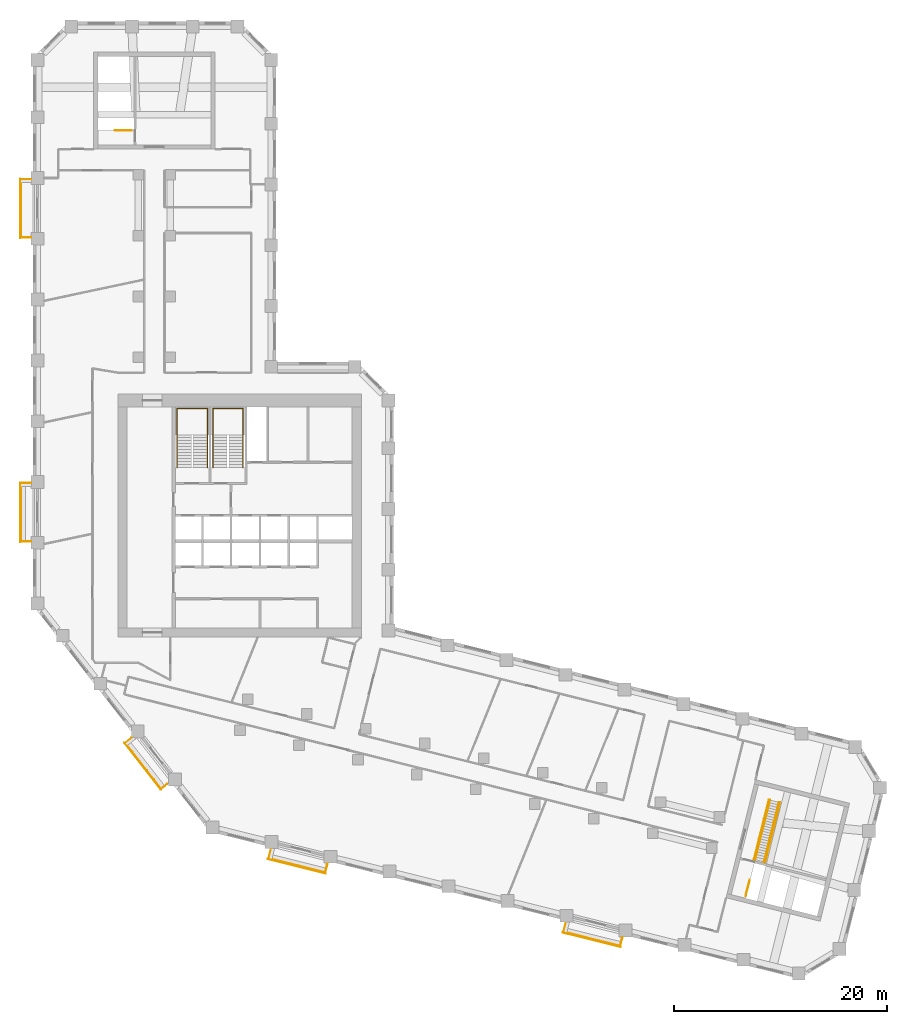
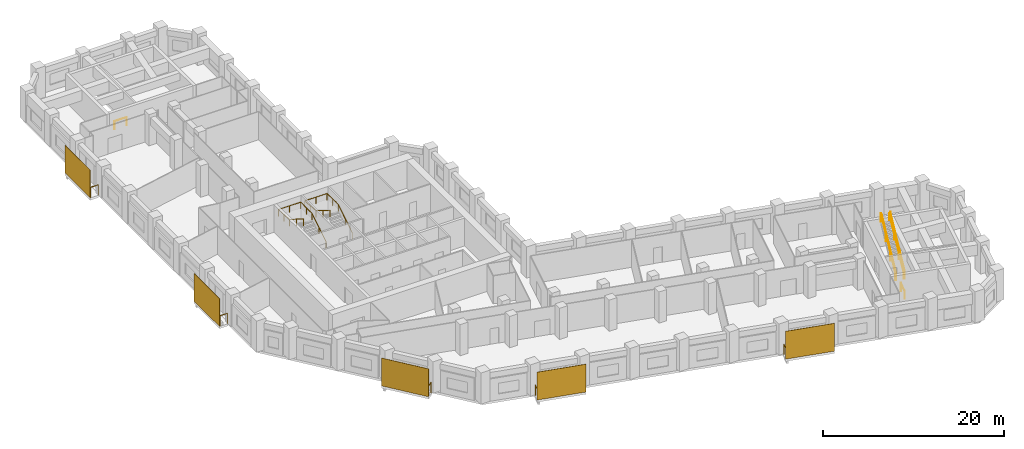
# One storey, part 10 of 10: 13 railings, 5 shading devices.
"""IFC4 building model written with IfcOpenShell, lengths in metres."""

from ifc_helpers import new_model, si_unit, direction, frame, origin, origin_2d, place, context, subcontext, project, spatial, rectangle, circle, extrude, material, layer, layer_set, type_object, element, save


model = new_model("IFC4")

# Units and contexts
model_context = context("Model", 3, precision=1e-05, world=origin(), true_north=direction((0.0, 1.0)))
body_context = subcontext(model_context, "Body", "Model", "MODEL_VIEW")
ifc_project = project(units=[si_unit("LENGTHUNIT", "METRE"), si_unit("AREAUNIT", "SQUARE_METRE"), si_unit("VOLUMEUNIT", "CUBIC_METRE"), si_unit("PLANEANGLEUNIT", "RADIAN"), si_unit("MASSUNIT", "GRAM", prefix="KILO")], contexts=[model_context])

# Site, building, storey
site_placement = place(None, origin())
site = spatial("IfcSite", under=ifc_project, at=site_placement, CompositionType="ELEMENT")
building_placement = place(site_placement, origin())
building = spatial("IfcBuilding", under=site, at=building_placement, Name="Meshkara Civic Tower", CompositionType="ELEMENT")
storey_placement = place(building_placement, frame((0.0, 0.0, 216.0)))
storey = spatial("IfcBuildingStorey", under=building, at=storey_placement, Name="L49", CompositionType="ELEMENT", Elevation=216.0)

# Railings
ifc_material_1 = material(Name="Steel S355", Category="steel")
railing_type_1 = type_object("IfcRailingType", Name="BALUSTRADE GUARD 1400", PredefinedType="BALUSTRADE", material=ifc_material_1)
for number, where, name in (
    (1, (-0.14990234375, 57.034912109375, 0.0), "Balcony guard"),
    (2, (-0.14990234375, 28.534912109375, 0.0), "Balcony guard"),
):
    element("IfcRailing", number, at=place(storey_placement, frame(where)), inside=storey, type_object=railing_type_1, Name=name, PredefinedType="BALUSTRADE", context=body_context, shape_type="SweptSolid", body=[
        extrude(circle(Radius=0.02392578125, at=origin_2d()), frame((0.0, 0.0, 1.3759765625), z_axis=(-1.0, 0.0, 0.0), x_axis=(0.0, -1.0, 0.0)), (0.0, 0.0, 1.0), 0.960205078125),
        extrude(circle(Radius=0.02392578125, at=origin_2d()), frame((-0.960205078125, 0.0, 1.3759765625), z_axis=(0.0, -1.0, 0.0), x_axis=(1.0, 0.0, 0.0)), (0.0, 0.0, 1.0), 5.4599609375),
        extrude(circle(Radius=0.02392578125, at=origin_2d()), frame((-0.960205078125, -5.4599609375, 1.3759765625), z_axis=(1.0, 0.0, 0.0), x_axis=(0.0, 1.0, 0.0)), (0.0, 0.0, 1.0), 0.960205078125),
        extrude(circle(Radius=0.02099609375, at=origin_2d()), origin(), (0.0, 0.0, 1.0), 1.351806640625),
        extrude(circle(Radius=0.02099609375, at=origin_2d()), frame((-0.960205078125, 0.0, 0.0)), (0.0, 0.0, 1.0), 1.351806640625),
        extrude(circle(Radius=0.02099609375, at=origin_2d()), frame((-0.960205078125, -1.092041015625, 0.0)), (0.0, 0.0, 1.0), 1.351806640625),
        extrude(circle(Radius=0.02099609375, at=origin_2d()), frame((-0.960205078125, -2.18408203125, 0.0)), (0.0, 0.0, 1.0), 1.351806640625),
        extrude(circle(Radius=0.02099609375, at=origin_2d()), frame((-0.960205078125, -3.27587890625, 0.0)), (0.0, 0.0, 1.0), 1.351806640625),
        extrude(circle(Radius=0.02099609375, at=origin_2d()), frame((-0.960205078125, -4.367919921875, 0.0)), (0.0, 0.0, 1.0), 1.351806640625),
        extrude(circle(Radius=0.02099609375, at=origin_2d()), frame((-0.960205078125, -5.4599609375, 0.0)), (0.0, 0.0, 1.0), 1.351806640625),
        extrude(circle(Radius=0.02099609375, at=origin_2d()), frame((0.0, -5.4599609375, 0.0)), (0.0, 0.0, 1.0), 1.351806640625),
    ])
railing_1_placement = place(storey_placement, frame((9.242919921875, 4.632080078125, 0.0)))
element("IfcRailing", 3, at=railing_1_placement, inside=storey, type_object=railing_type_1, Name="Balcony guard", PredefinedType="BALUSTRADE", context=body_context, shape_type="SweptSolid", body=[
    extrude(circle(Radius=0.02392578125, at=origin_2d()), frame((0.0, 0.0, 1.3759765625), z_axis=(-0.787497819548, -0.616317437857, 0.0), x_axis=(0.616317437857, -0.787497819548, 0.0)), (0.0, 0.0, 1.0), 0.71728515625),
    extrude(circle(Radius=0.02392578125, at=origin_2d()), frame((-0.56494140625, -0.442138671875, 1.3759765625), z_axis=(0.615660530481, -0.788011491799, 0.0), x_axis=(0.788011491799, 0.615660530481, 0.0)), (0.0, 0.0, 1.0), 5.459228515625),
    extrude(circle(Radius=0.02392578125, at=origin_2d()), frame((2.796142578125, -4.744140625, 1.3759765625), z_axis=(0.787497819548, 0.616317437857, 0.0), x_axis=(-0.616317437857, 0.787497819548, 0.0)), (0.0, 0.0, 1.0), 0.71728515625),
    extrude(circle(Radius=0.02099609375, at=origin_2d()), origin(), (0.0, 0.0, 1.0), 1.351806640625),
    extrude(circle(Radius=0.02099609375, at=origin_2d()), frame((-0.56494140625, -0.442138671875, 0.0)), (0.0, 0.0, 1.0), 1.351806640625),
    extrude(circle(Radius=0.02099609375, at=origin_2d()), frame((0.107177734375, -1.302490234375, 0.0)), (0.0, 0.0, 1.0), 1.351806640625),
    extrude(circle(Radius=0.02099609375, at=origin_2d()), frame((0.779541015625, -2.162841796875, 0.0)), (0.0, 0.0, 1.0), 1.351806640625),
    extrude(circle(Radius=0.02099609375, at=origin_2d()), frame((1.45166015625, -3.0234375, 0.0)), (0.0, 0.0, 1.0), 1.351806640625),
    extrude(circle(Radius=0.02099609375, at=origin_2d()), frame((2.1240234375, -3.8837890625, 0.0)), (0.0, 0.0, 1.0), 1.351806640625),
    extrude(circle(Radius=0.02099609375, at=origin_2d()), frame((2.796142578125, -4.744140625, 0.0)), (0.0, 0.0, 1.0), 1.351806640625),
    extrude(circle(Radius=0.02099609375, at=origin_2d()), frame((3.361083984375, -4.302001953125, 0.0)), (0.0, 0.0, 1.0), 1.351806640625),
])
railing_2_placement = place(storey_placement, frame((22.322998046875, -5.85205078125, 0.0)))
element("IfcRailing", 4, at=railing_2_placement, inside=storey, type_object=railing_type_1, Name="Balcony guard", PredefinedType="BALUSTRADE", context=body_context, shape_type="SweptSolid", body=[
    extrude(circle(Radius=0.02392578125, at=origin_2d()), frame((0.0, 0.0, 1.3759765625), z_axis=(-0.242742811605, -0.970090679995, 0.0), x_axis=(0.970090679995, -0.242742811605, 0.0)), (0.0, 0.0, 1.0), 0.831787109375),
    extrude(circle(Radius=0.02392578125, at=origin_2d()), frame((-0.201904296875, -0.806884765625, 1.3759765625), z_axis=(0.970279141219, -0.24198840492, 0.0), x_axis=(0.24198840492, 0.970279141219, 0.0)), (0.0, 0.0, 1.0), 5.459228515625),
    extrude(circle(Radius=0.02392578125, at=origin_2d()), frame((5.094970703125, -2.1279296875, 1.3759765625), z_axis=(0.242742561173, 0.97009074266, 0.0), x_axis=(-0.97009074266, 0.242742561173, 0.0)), (0.0, 0.0, 1.0), 0.832763671875),
    extrude(circle(Radius=0.02099609375, at=origin_2d()), origin(), (0.0, 0.0, 1.0), 1.351806640625),
    extrude(circle(Radius=0.02099609375, at=origin_2d()), frame((-0.201904296875, -0.806884765625, 0.0)), (0.0, 0.0, 1.0), 1.351806640625),
    extrude(circle(Radius=0.02099609375, at=origin_2d()), frame((0.857421875, -1.071044921875, 0.0)), (0.0, 0.0, 1.0), 1.351806640625),
    extrude(circle(Radius=0.02099609375, at=origin_2d()), frame((1.916748046875, -1.335205078125, 0.0)), (0.0, 0.0, 1.0), 1.351806640625),
    extrude(circle(Radius=0.02099609375, at=origin_2d()), frame((2.976318359375, -1.599609375, 0.0)), (0.0, 0.0, 1.0), 1.351806640625),
    extrude(circle(Radius=0.02099609375, at=origin_2d()), frame((4.03564453125, -1.86376953125, 0.0)), (0.0, 0.0, 1.0), 1.351806640625),
    extrude(circle(Radius=0.02099609375, at=origin_2d()), frame((5.094970703125, -2.1279296875, 0.0)), (0.0, 0.0, 1.0), 1.351806640625),
    extrude(circle(Radius=0.02099609375, at=origin_2d()), frame((5.297119140625, -1.320068359375, 0.0)), (0.0, 0.0, 1.0), 1.351806640625),
])
railing_3_placement = place(storey_placement, frame((49.97509765625, -12.74609375, 0.0)))
element("IfcRailing", 5, at=railing_3_placement, inside=storey, type_object=railing_type_1, Name="Balcony guard", PredefinedType="BALUSTRADE", context=body_context, shape_type="SweptSolid", body=[
    extrude(circle(Radius=0.02392578125, at=origin_2d()), frame((0.0, 0.0, 1.3759765625), z_axis=(-0.241638519436, -0.97036633594, 0.0), x_axis=(0.97036633594, -0.241638519436, 0.0)), (0.0, 0.0, 1.0), 0.83251953125),
    extrude(circle(Radius=0.02392578125, at=origin_2d()), frame((-0.201171875, -0.807861328125, 1.3759765625), z_axis=(0.970292231073, -0.24193591366, 0.0), x_axis=(0.24193591366, 0.970292231073, 0.0)), (0.0, 0.0, 1.0), 5.460205078125),
    extrude(circle(Radius=0.02392578125, at=origin_2d()), frame((5.096923828125, -2.12890625, 1.3759765625), z_axis=(0.242397690902, 0.970176973261, 0.0), x_axis=(-0.970176973261, 0.242397690902, 0.0)), (0.0, 0.0, 1.0), 0.8330078125),
    extrude(circle(Radius=0.02099609375, at=origin_2d()), origin(), (0.0, 0.0, 1.0), 1.351806640625),
    extrude(circle(Radius=0.02099609375, at=origin_2d()), frame((-0.201171875, -0.807861328125, 0.0)), (0.0, 0.0, 1.0), 1.351806640625),
    extrude(circle(Radius=0.02099609375, at=origin_2d()), frame((0.8583984375, -1.072021484375, 0.0)), (0.0, 0.0, 1.0), 1.351806640625),
    extrude(circle(Radius=0.02099609375, at=origin_2d()), frame((1.91796875, -1.336181640625, 0.0)), (0.0, 0.0, 1.0), 1.351806640625),
    extrude(circle(Radius=0.02099609375, at=origin_2d()), frame((2.977783203125, -1.6005859375, 0.0)), (0.0, 0.0, 1.0), 1.351806640625),
    extrude(circle(Radius=0.02099609375, at=origin_2d()), frame((4.037353515625, -1.86474609375, 0.0)), (0.0, 0.0, 1.0), 1.351806640625),
    extrude(circle(Radius=0.02099609375, at=origin_2d()), frame((5.096923828125, -2.12890625, 0.0)), (0.0, 0.0, 1.0), 1.351806640625),
    extrude(circle(Radius=0.02099609375, at=origin_2d()), frame((5.298828125, -1.32080078125, 0.0)), (0.0, 0.0, 1.0), 1.351806640625),
])

# Shading devices
ifc_material_2 = material(Name="Perforated bronze anodised aluminium sheet", Category="aluminium")
ifc_layer = layer(ifc_material_2, 0.0400390625)
ifc_layer_set = layer_set([ifc_layer], Name="PERFORATED BRONZE SCREEN")
shading_device_type = type_object("IfcShadingDeviceType", Name="PERFORATED BRONZE SCREEN", PredefinedType="USERDEFINED", material=ifc_layer_set)
for number, where, z_axis, x_axis, name in (
    (6, (-1.179931640625, 54.304931640625, 0.0), (0.0, 0.0, 1.0), (0.0, -1.0, 0.0), "Balcony screen"),
    (7, (-1.179931640625, 25.804931640625, 0.0), (0.0, 0.0, 1.0), (0.0, -1.0, 0.0), "Balcony screen"),
):
    element("IfcShadingDevice", number, at=place(storey_placement, frame(where, z_axis=z_axis, x_axis=x_axis)), inside=storey, type_object=shading_device_type, Name=name, ObjectType="SCREEN", PredefinedType="USERDEFINED", context=body_context, shape_type="SweptSolid", body=[
        extrude(rectangle(XDim=5.580078125, YDim=0.0400390625, at=origin_2d()), origin(), (0.0, 0.0, 1.0), 3.75),
    ])
for number, where, z_axis, x_axis, name in (
    (8, (10.302978515625, 1.99609375, 0.0), (0.0, 0.0, 1.0), (0.615661475326, -0.788010753607, 0.0), "Balcony screen"),
    (9, (24.7529296875, -7.387939453125, 0.0), (0.0, 0.0, 1.0), (0.970299948462, -0.241904960708, 0.0), "Balcony screen"),
):
    element("IfcShadingDevice", number, at=place(storey_placement, frame(where, z_axis=z_axis, x_axis=x_axis)), inside=storey, type_object=shading_device_type, Name=name, ObjectType="SCREEN", PredefinedType="USERDEFINED", context=body_context, shape_type="SweptSolid", body=[
        extrude(rectangle(XDim=5.5791015625, YDim=0.0400390625, at=origin_2d()), origin(), (0.0, 0.0, 1.0), 3.75),
    ])
shading_device_placement = place(storey_placement, frame((52.406005859375, -14.281982421875, 0.0), z_axis=(0.0, 0.0, 1.0), x_axis=(0.970299948462, -0.241904960708, 0.0)))
element("IfcShadingDevice", 10, at=shading_device_placement, inside=storey, type_object=shading_device_type, Name="Balcony screen", ObjectType="SCREEN", PredefinedType="USERDEFINED", context=body_context, shape_type="SweptSolid", body=[
    extrude(rectangle(XDim=5.580078125, YDim=0.0400390625, at=origin_2d()), origin(), (0.0, 0.0, 1.0), 3.75),
])

# Railings
ifc_material_3 = material(Name="Steel guard", Category="steel")
railing_type_2 = type_object("IfcRailingType", Name="Stair guard 1100", PredefinedType="GUARDRAIL", material=ifc_material_3)
railing_4_placement = place(storey_placement, frame((9.27490234375, 61.6201171875, 0.0)))
element("IfcRailing", 11, at=railing_4_placement, inside=storey, type_object=railing_type_2, Name="L49 ESA3 top well guard 1", PredefinedType="GUARDRAIL", context=body_context, shape_type="SweptSolid", body=[
    extrude(circle(Radius=0.02392578125, at=origin_2d()), frame((0.0, 0.0, 1.076171875), z_axis=(-1.0, 0.0, 0.0), x_axis=(0.0, -1.0, 0.0)), (0.0, 0.0, 1.0), 1.5498046875),
    extrude(circle(Radius=0.02099609375, at=origin_2d()), origin(), (0.0, 0.0, 1.0), 1.052001953125),
    extrude(circle(Radius=0.02099609375, at=origin_2d()), frame((-1.5498046875, 0.0, 0.0)), (0.0, 0.0, 1.0), 1.052001953125),
])
railing_5_placement = place(storey_placement, frame((66.850341796875, -10.148681640625, 0.0)))
element("IfcRailing", 12, at=railing_5_placement, inside=storey, type_object=railing_type_2, Name="L49 ESB3 top well guard 1", PredefinedType="GUARDRAIL", context=body_context, shape_type="SweptSolid", body=[
    extrude(circle(Radius=0.02392578125, at=origin_2d()), frame((0.0, 0.0, 1.076171875), z_axis=(0.241794280336, 0.970327535421, 0.0), x_axis=(-0.970327535421, 0.241794280336, 0.0)), (0.0, 0.0, 1.0), 1.5498046875),
    extrude(circle(Radius=0.02099609375, at=origin_2d()), origin(), (0.0, 0.0, 1.0), 1.052001953125),
    extrude(circle(Radius=0.02099609375, at=origin_2d()), frame((0.374755859375, 1.50390625, 0.0)), (0.0, 0.0, 1.0), 1.052001953125),
])
railing_6_placement = place(storey_placement, frame((67.639892578125, -6.73388671875, 0.175048828125)))
element("IfcRailing", 13, at=railing_6_placement, inside=storey, type_object=railing_type_2, Name="L49 ESBT stair guard 3", PredefinedType="GUARDRAIL", context=body_context, shape_type="SweptSolid", body=[
    extrude(circle(Radius=0.02392578125, at=origin_2d()), frame((0.0, 0.0, 1.076171875), z_axis=(0.198186038439, 0.79493539988, 0.573410851123), x_axis=(-0.970299627736, 0.24190624716, 0.0)), (0.0, 0.0, 1.0), 7.019287109375),
    extrude(circle(Radius=0.02099609375, at=origin_2d()), origin(), (0.0, 0.0, 1.0), 1.052001953125),
    extrude(circle(Radius=0.02099609375, at=origin_2d()), frame((0.463623046875, 1.85986328125, 1.341552734375)), (0.0, 0.0, 1.0), 1.052001953125),
    extrude(circle(Radius=0.02099609375, at=origin_2d()), frame((0.927490234375, 3.719970703125, 2.683349609375)), (0.0, 0.0, 1.0), 1.052001953125),
    extrude(circle(Radius=0.02099609375, at=origin_2d()), frame((1.39111328125, 5.579833984375, 4.02490234375)), (0.0, 0.0, 1.0), 1.052001953125),
])
railing_7_placement = place(storey_placement, frame((68.6689453125, -6.989990234375, 0.175048828125)))
element("IfcRailing", 14, at=railing_7_placement, inside=storey, type_object=railing_type_2, Name="L49 ESBT stair guard 4", PredefinedType="GUARDRAIL", context=body_context, shape_type="SweptSolid", body=[
    extrude(circle(Radius=0.02392578125, at=origin_2d()), frame((0.0, 0.0, 1.076171875), z_axis=(0.198202478457, 0.794896988012, 0.57345841696), x_axis=(-0.970292173201, 0.24193614576, 0.0)), (0.0, 0.0, 1.0), 7.0185546875),
    extrude(circle(Radius=0.02099609375, at=origin_2d()), origin(), (0.0, 0.0, 1.0), 1.052001953125),
    extrude(circle(Radius=0.02099609375, at=origin_2d()), frame((0.463623046875, 1.859619140625, 1.341552734375)), (0.0, 0.0, 1.0), 1.052001953125),
    extrude(circle(Radius=0.02099609375, at=origin_2d()), frame((0.927490234375, 3.719482421875, 2.683349609375)), (0.0, 0.0, 1.0), 1.052001953125),
    extrude(circle(Radius=0.02099609375, at=origin_2d()), frame((1.39111328125, 5.5791015625, 4.02490234375)), (0.0, 0.0, 1.0), 1.052001953125),
])
ifc_material_4 = material(Name="Steel handrail", Category="steel")
railing_type_3 = type_object("IfcRailingType", Name="Stair handrail 900", PredefinedType="HANDRAIL", material=ifc_material_4)
railing_8_placement = place(storey_placement, frame((16.375, 30.0, 0.175048828125)))
element("IfcRailing", 15, at=railing_8_placement, inside=storey, type_object=railing_type_3, Name="L49 ST1 stair handrail 1", PredefinedType="HANDRAIL", context=body_context, shape_type="SweptSolid", body=[
    extrude(circle(Radius=0.02392578125, at=origin_2d()), frame((0.0, 0.0, 0.8759765625), z_axis=(0.0, 0.847998304005, 0.529998940003), x_axis=(-1.0, 0.0, 0.0)), (0.0, 0.0, 1.0), 3.632080078125),
    extrude(circle(Radius=0.02392578125, at=origin_2d()), frame((0.0, 3.080078125, 2.80078125), z_axis=(0.0, 1.0, 0.0), x_axis=(-1.0, 0.0, 0.0)), (0.0, 0.0, 1.0), 2.469970703125),
    extrude(circle(Radius=0.02392578125, at=origin_2d()), frame((0.0, 5.550048828125, 2.80078125), z_axis=(-1.0, 0.0, 0.0), x_axis=(0.0, -1.0, 0.0)), (0.0, 0.0, 1.0), 2.85009765625),
    extrude(circle(Radius=0.02392578125, at=origin_2d()), frame((-2.85009765625, 5.550048828125, 2.80078125), z_axis=(0.0, -0.997505032726, 0.070595394231), x_axis=(1.0, 0.0, 0.0)), (0.0, 0.0, 1.0), 2.47607421875),
    extrude(circle(Radius=0.02392578125, at=origin_2d()), frame((-2.85009765625, 3.080078125, 2.9755859375), z_axis=(0.0, -0.847998304005, 0.529998940003), x_axis=(1.0, 0.0, 0.0)), (0.0, 0.0, 1.0), 3.632080078125),
    extrude(circle(Radius=0.02099609375, at=origin_2d()), origin(), (0.0, 0.0, 1.0), 0.851806640625),
    extrude(circle(Radius=0.02099609375, at=origin_2d()), frame((0.0, 1.5400390625, 0.96240234375)), (0.0, 0.0, 1.0), 0.851806640625),
    extrude(circle(Radius=0.02099609375, at=origin_2d()), frame((0.0, 3.080078125, 1.925048828125)), (0.0, 0.0, 1.0), 0.851806640625),
    extrude(circle(Radius=0.02099609375, at=origin_2d()), frame((0.0, 4.31494140625, 1.925048828125)), (0.0, 0.0, 1.0), 0.851806640625),
    extrude(circle(Radius=0.02099609375, at=origin_2d()), frame((0.0, 5.550048828125, 1.925048828125)), (0.0, 0.0, 1.0), 0.851806640625),
    extrude(circle(Radius=0.02099609375, at=origin_2d()), frame((-1.425048828125, 5.550048828125, 1.925048828125)), (0.0, 0.0, 1.0), 0.851806640625),
    extrude(circle(Radius=0.02099609375, at=origin_2d()), frame((-2.85009765625, 5.550048828125, 1.925048828125)), (0.0, 0.0, 1.0), 0.851806640625),
    extrude(circle(Radius=0.02099609375, at=origin_2d()), frame((-2.85009765625, 4.31494140625, 2.012451171875)), (0.0, 0.0, 1.0), 0.851806640625),
    extrude(circle(Radius=0.02099609375, at=origin_2d()), frame((-2.85009765625, 3.080078125, 2.099853515625)), (0.0, 0.0, 1.0), 0.851806640625),
    extrude(circle(Radius=0.02099609375, at=origin_2d()), frame((-2.85009765625, 1.5400390625, 3.0625)), (0.0, 0.0, 1.0), 0.851806640625),
    extrude(circle(Radius=0.02099609375, at=origin_2d()), frame((-2.85009765625, 0.0, 4.02490234375)), (0.0, 0.0, 1.0), 0.851806640625),
])
railing_9_placement = place(storey_placement, frame((19.72509765625, 30.0, 0.175048828125)))
element("IfcRailing", 16, at=railing_9_placement, inside=storey, type_object=railing_type_3, Name="L49 ST2 stair handrail 1", PredefinedType="HANDRAIL", context=body_context, shape_type="SweptSolid", body=[
    extrude(circle(Radius=0.02392578125, at=origin_2d()), frame((0.0, 0.0, 0.8759765625), z_axis=(0.0, 0.847998304005, 0.529998940003), x_axis=(-1.0, 0.0, 0.0)), (0.0, 0.0, 1.0), 3.632080078125),
    extrude(circle(Radius=0.02392578125, at=origin_2d()), frame((0.0, 3.080078125, 2.80078125), z_axis=(0.0, 1.0, 0.0), x_axis=(-1.0, 0.0, 0.0)), (0.0, 0.0, 1.0), 2.469970703125),
    extrude(circle(Radius=0.02392578125, at=origin_2d()), frame((0.0, 5.550048828125, 2.80078125), z_axis=(-1.0, 0.0, 0.0), x_axis=(0.0, -1.0, 0.0)), (0.0, 0.0, 1.0), 2.85009765625),
    extrude(circle(Radius=0.02392578125, at=origin_2d()), frame((-2.85009765625, 5.550048828125, 2.80078125), z_axis=(0.0, -0.997505032726, 0.070595394231), x_axis=(1.0, 0.0, 0.0)), (0.0, 0.0, 1.0), 2.47607421875),
    extrude(circle(Radius=0.02392578125, at=origin_2d()), frame((-2.85009765625, 3.080078125, 2.9755859375), z_axis=(0.0, -0.847998304005, 0.529998940003), x_axis=(1.0, 0.0, 0.0)), (0.0, 0.0, 1.0), 3.632080078125),
    extrude(circle(Radius=0.02099609375, at=origin_2d()), origin(), (0.0, 0.0, 1.0), 0.851806640625),
    extrude(circle(Radius=0.02099609375, at=origin_2d()), frame((0.0, 1.5400390625, 0.96240234375)), (0.0, 0.0, 1.0), 0.851806640625),
    extrude(circle(Radius=0.02099609375, at=origin_2d()), frame((0.0, 3.080078125, 1.925048828125)), (0.0, 0.0, 1.0), 0.851806640625),
    extrude(circle(Radius=0.02099609375, at=origin_2d()), frame((0.0, 4.31494140625, 1.925048828125)), (0.0, 0.0, 1.0), 0.851806640625),
    extrude(circle(Radius=0.02099609375, at=origin_2d()), frame((0.0, 5.550048828125, 1.925048828125)), (0.0, 0.0, 1.0), 0.851806640625),
    extrude(circle(Radius=0.02099609375, at=origin_2d()), frame((-1.425048828125, 5.550048828125, 1.925048828125)), (0.0, 0.0, 1.0), 0.851806640625),
    extrude(circle(Radius=0.02099609375, at=origin_2d()), frame((-2.85009765625, 5.550048828125, 1.925048828125)), (0.0, 0.0, 1.0), 0.851806640625),
    extrude(circle(Radius=0.02099609375, at=origin_2d()), frame((-2.85009765625, 4.31494140625, 2.012451171875)), (0.0, 0.0, 1.0), 0.851806640625),
    extrude(circle(Radius=0.02099609375, at=origin_2d()), frame((-2.85009765625, 3.080078125, 2.099853515625)), (0.0, 0.0, 1.0), 0.851806640625),
    extrude(circle(Radius=0.02099609375, at=origin_2d()), frame((-2.85009765625, 1.5400390625, 3.0625)), (0.0, 0.0, 1.0), 0.851806640625),
    extrude(circle(Radius=0.02099609375, at=origin_2d()), frame((-2.85009765625, 0.0, 4.02490234375)), (0.0, 0.0, 1.0), 0.851806640625),
])
railing_10_placement = place(storey_placement, frame((67.73193359375, -6.757080078125, 0.175048828125)))
element("IfcRailing", 17, at=railing_10_placement, inside=storey, type_object=railing_type_3, Name="L49 ESBT stair handrail 1", PredefinedType="HANDRAIL", context=body_context, shape_type="SweptSolid", body=[
    extrude(circle(Radius=0.02392578125, at=origin_2d()), frame((0.0, 0.0, 0.8759765625), z_axis=(0.198180558862, 0.794948201712, 0.573394997087), x_axis=(-0.970302111967, 0.241896282551, 0.0)), (0.0, 0.0, 1.0), 7.01953125),
    extrude(circle(Radius=0.02099609375, at=origin_2d()), origin(), (0.0, 0.0, 1.0), 0.851806640625),
    extrude(circle(Radius=0.02099609375, at=origin_2d()), frame((0.463623046875, 1.860107421875, 1.341552734375)), (0.0, 0.0, 1.0), 0.851806640625),
    extrude(circle(Radius=0.02099609375, at=origin_2d()), frame((0.927490234375, 3.719970703125, 2.683349609375)), (0.0, 0.0, 1.0), 0.851806640625),
    extrude(circle(Radius=0.02099609375, at=origin_2d()), frame((1.39111328125, 5.580078125, 4.02490234375)), (0.0, 0.0, 1.0), 0.851806640625),
])
railing_11_placement = place(storey_placement, frame((68.576904296875, -6.967041015625, 0.175048828125)))
element("IfcRailing", 18, at=railing_11_placement, inside=storey, type_object=railing_type_3, Name="L49 ESBT stair handrail 2", PredefinedType="HANDRAIL", context=body_context, shape_type="SweptSolid", body=[
    extrude(circle(Radius=0.02392578125, at=origin_2d()), frame((0.0, 0.0, 0.8759765625), z_axis=(0.198202478457, 0.794896988012, 0.57345841696), x_axis=(-0.970292173201, 0.24193614576, 0.0)), (0.0, 0.0, 1.0), 7.0185546875),
    extrude(circle(Radius=0.02099609375, at=origin_2d()), origin(), (0.0, 0.0, 1.0), 0.851806640625),
    extrude(circle(Radius=0.02099609375, at=origin_2d()), frame((0.463623046875, 1.859619140625, 1.341552734375)), (0.0, 0.0, 1.0), 0.851806640625),
    extrude(circle(Radius=0.02099609375, at=origin_2d()), frame((0.927490234375, 3.719482421875, 2.683349609375)), (0.0, 0.0, 1.0), 0.851806640625),
    extrude(circle(Radius=0.02099609375, at=origin_2d()), frame((1.39111328125, 5.5791015625, 4.02490234375)), (0.0, 0.0, 1.0), 0.851806640625),
])

save(model, "model.ifc")
